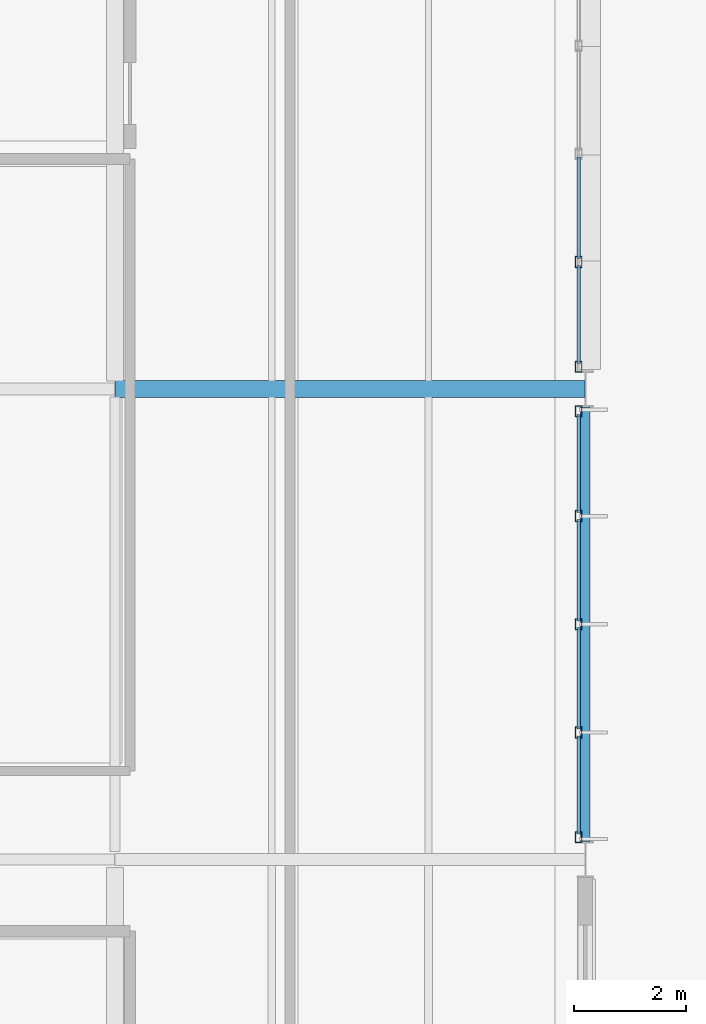
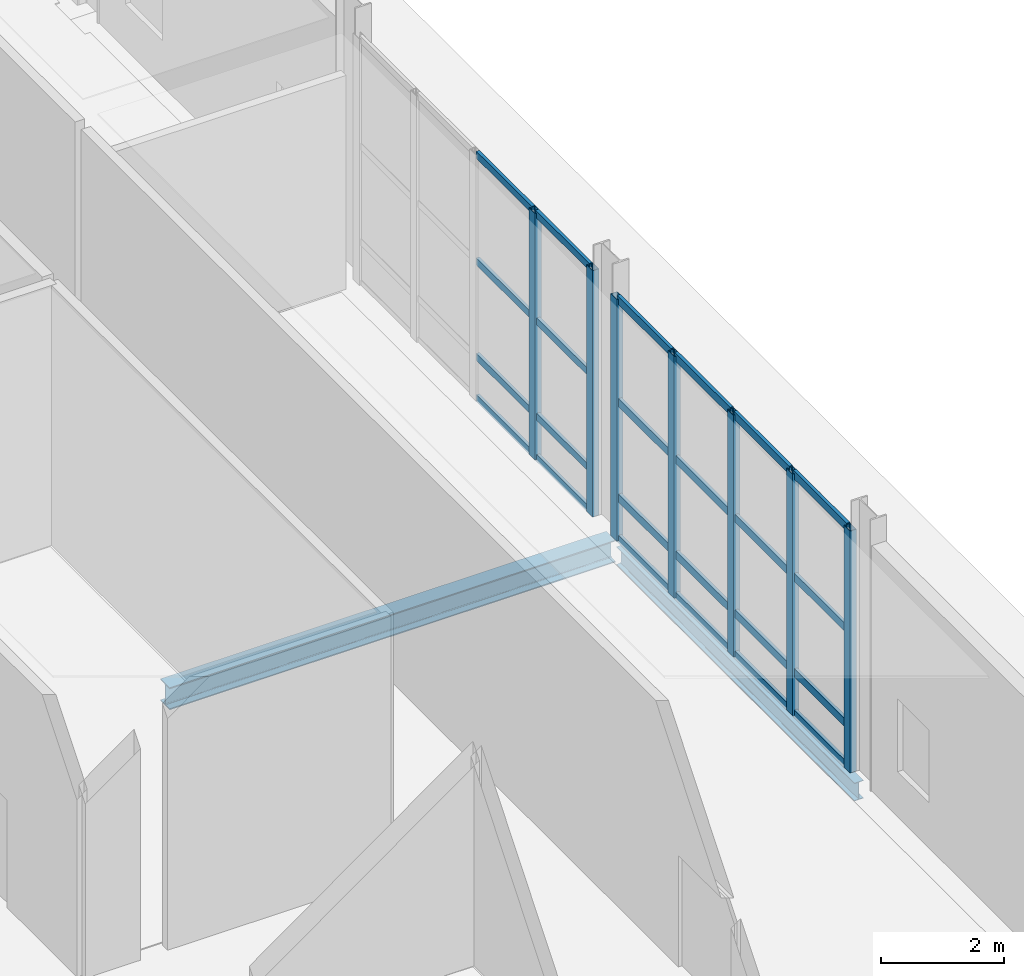
# One storey, part 38 of 124: 31 members, 2 beams, 2 elements without a shape of their own.
"""IFC4 building model written with IfcOpenShell, lengths in metres."""

from ifc_helpers import new_model, si_unit, direction, frame, origin, origin_2d, place, context, subcontext, project, spatial, hollow_rectangle, i_section, extrude, material, material_profile, profile_set, type_object, element, aggregate, save


model = new_model("IFC4")

# Units and contexts
model_context = context("Model", 3, precision=1e-05, world=origin(), true_north=direction((0.0, 1.0)))
body_context = subcontext(model_context, "Body", "Model", "MODEL_VIEW")
ifc_project = project(units=[si_unit("LENGTHUNIT", "METRE"), si_unit("AREAUNIT", "SQUARE_METRE"), si_unit("VOLUMEUNIT", "CUBIC_METRE"), si_unit("PLANEANGLEUNIT", "RADIAN"), si_unit("MASSUNIT", "GRAM", prefix="KILO")], contexts=[model_context])

# Site, building, storey
site_placement = place(None, origin())
site = spatial("IfcSite", under=ifc_project, at=site_placement, CompositionType="ELEMENT")
building_placement = place(site_placement, origin())
building = spatial("IfcBuilding", under=site, at=building_placement, Name="Mersafa Astral City Hall", CompositionType="ELEMENT")
storey_placement = place(building_placement, origin())
storey = spatial("IfcBuildingStorey", under=building, at=storey_placement, Name="L00", CompositionType="ELEMENT", Elevation=0.0)

# Curtain wall, members
ifc_material_1 = material(Name="Anodised bronze aluminium framing", Category="aluminium")
curtain_wall_type_1 = type_object("IfcCurtainWallType", Name="ENV-CW-5", PredefinedType="USERDEFINED", material=ifc_material_1)
curtain_wall_1_placement = place(storey_placement, origin())
curtain_wall_1 = element("IfcCurtainWall", 1, at=curtain_wall_1_placement, inside=storey, type_object=curtain_wall_type_1, Name="L00 Unitised solar curtain wall 10", ObjectType="UNITISED CURTAIN WALL", PredefinedType="USERDEFINED")
ifc_material_profile_1 = material_profile(ifc_material_1, hollow_rectangle(XDim=0.1201171875, YDim=0.199951171875, WallThickness=0.008056640625, at=origin_2d()), Name="RHS 120x200x8")
ifc_profile_set_1 = profile_set([ifc_material_profile_1], Name="Anodised bronze aluminium framing")
member_type_1 = type_object("IfcMemberType", Name="ENV-CW-MUL-2", PredefinedType="MULLION", material=ifc_profile_set_1)
member_1_placement = place(storey_placement, frame((117.47998046875, 67.596923828125, -0.001953125), z_axis=(0.0, 0.0, 1.0), x_axis=(-1.0, 0.0, 0.0)))
member_1 = element("IfcMember", 2, at=member_1_placement, type_object=member_type_1, Name="CW-5 mullion 1", PredefinedType="MULLION", context=body_context, shape_type="SweptSolid", body=[
    extrude(hollow_rectangle(XDim=0.1201171875, YDim=0.199951171875, WallThickness=0.008056640625, at=origin_2d()), origin(), (0.0, 0.0, 1.0), 4.81396484375),
])
member_2_placement = place(storey_placement, frame((117.47998046875, 69.468505859375, -0.001953125), z_axis=(0.0, 0.0, 1.0), x_axis=(-1.0, 0.0, 0.0)))
member_2 = element("IfcMember", 3, at=member_2_placement, type_object=member_type_1, Name="CW-5 mullion 2", PredefinedType="MULLION", context=body_context, shape_type="SweptSolid", body=[
    extrude(hollow_rectangle(XDim=0.1201171875, YDim=0.199951171875, WallThickness=0.008056640625, at=origin_2d()), origin(), (0.0, 0.0, 1.0), 4.81396484375),
])
member_3_placement = place(storey_placement, frame((117.47998046875, 71.39990234375, -0.001953125), z_axis=(0.0, 0.0, 1.0), x_axis=(-1.0, 0.0, 0.0)))
member_3 = element("IfcMember", 4, at=member_3_placement, type_object=member_type_1, Name="CW-5 mullion 3", PredefinedType="MULLION", context=body_context, shape_type="SweptSolid", body=[
    extrude(hollow_rectangle(XDim=0.1201171875, YDim=0.199951171875, WallThickness=0.008056640625, at=origin_2d()), origin(), (0.0, 0.0, 1.0), 4.81396484375),
])
member_4_placement = place(storey_placement, frame((117.47998046875, 73.33154296875, -0.001953125), z_axis=(0.0, 0.0, 1.0), x_axis=(-1.0, 0.0, 0.0)))
member_4 = element("IfcMember", 5, at=member_4_placement, type_object=member_type_1, Name="CW-5 mullion 4", PredefinedType="MULLION", context=body_context, shape_type="SweptSolid", body=[
    extrude(hollow_rectangle(XDim=0.1201171875, YDim=0.199951171875, WallThickness=0.008056640625, at=origin_2d()), origin(), (0.0, 0.0, 1.0), 4.81396484375),
])
member_5_placement = place(storey_placement, frame((117.47998046875, 75.202880859375, -0.001953125), z_axis=(0.0, 0.0, 1.0), x_axis=(-1.0, 0.0, 0.0)))
member_5 = element("IfcMember", 6, at=member_5_placement, type_object=member_type_1, Name="CW-5 mullion 5", PredefinedType="MULLION", context=body_context, shape_type="SweptSolid", body=[
    extrude(hollow_rectangle(XDim=0.1201171875, YDim=0.199951171875, WallThickness=0.008056640625, at=origin_2d()), origin(), (0.0, 0.0, 1.0), 4.81396484375),
])

curtain_wall_type_2 = type_object("IfcCurtainWallType", Name="ENV-CW-6", PredefinedType="USERDEFINED", material=ifc_material_1)
curtain_wall_2_placement = place(storey_placement, origin())
curtain_wall_2 = element("IfcCurtainWall", 7, at=curtain_wall_2_placement, inside=storey, type_object=curtain_wall_type_2, Name="L00 Unitised solar curtain wall 11", ObjectType="UNITISED CURTAIN WALL", PredefinedType="USERDEFINED")
member_6_placement = place(storey_placement, frame((117.47998046875, 75.9970703125, -0.001953125), z_axis=(0.0, 0.0, 1.0), x_axis=(-1.0, 0.0, 0.0)))
member_6 = element("IfcMember", 8, at=member_6_placement, type_object=member_type_1, Name="CW-6 mullion 1", PredefinedType="MULLION", context=body_context, shape_type="SweptSolid", body=[
    extrude(hollow_rectangle(XDim=0.1201171875, YDim=0.199951171875, WallThickness=0.008056640625, at=origin_2d()), origin(), (0.0, 0.0, 1.0), 4.904052734375),
])
member_7_placement = place(storey_placement, frame((117.47998046875, 77.868408203125, -0.001953125), z_axis=(0.0, 0.0, 1.0), x_axis=(-1.0, 0.0, 0.0)))
member_7 = element("IfcMember", 9, at=member_7_placement, type_object=member_type_1, Name="CW-6 mullion 2", PredefinedType="MULLION", context=body_context, shape_type="SweptSolid", body=[
    extrude(hollow_rectangle(XDim=0.1201171875, YDim=0.199951171875, WallThickness=0.008056640625, at=origin_2d()), origin(), (0.0, 0.0, 1.0), 4.904052734375),
])
ifc_material_profile_2 = material_profile(ifc_material_1, hollow_rectangle(XDim=0.06005859375, YDim=0.139892578125, WallThickness=0.00390625, at=origin_2d()), Name="RHS 60x140x4")
ifc_profile_set_2 = profile_set([ifc_material_profile_2], Name="Anodised bronze aluminium framing")
member_type_2 = type_object("IfcMemberType", Name="ENV-CW-TRN-1", PredefinedType="USERDEFINED", material=ifc_profile_set_2)
member_8_placement = place(storey_placement, frame((117.47998046875, 76.056884765625, 0.028076171875), z_axis=(0.0, 1.0, 0.0), x_axis=(-1.0, 0.0, 0.0)))
member_8 = element("IfcMember", 10, at=member_8_placement, type_object=member_type_2, Name="CW-6 transom 1.1", ObjectType="TRANSOM", PredefinedType="USERDEFINED", context=body_context, shape_type="SweptSolid", body=[
    extrude(hollow_rectangle(XDim=0.06005859375, YDim=0.139892578125, WallThickness=0.00390625, at=origin_2d()), origin(), (0.0, 0.0, 1.0), 1.751708984375),
])
member_9_placement = place(storey_placement, frame((117.47998046875, 76.056884765625, 0.85009765625), z_axis=(0.0, 1.0, 0.0), x_axis=(-1.0, 0.0, 0.0)))
member_9 = element("IfcMember", 11, at=member_9_placement, type_object=member_type_2, Name="CW-6 transom 1.2", ObjectType="TRANSOM", PredefinedType="USERDEFINED", context=body_context, shape_type="SweptSolid", body=[
    extrude(hollow_rectangle(XDim=0.06005859375, YDim=0.139892578125, WallThickness=0.00390625, at=origin_2d()), origin(), (0.0, 0.0, 1.0), 1.751708984375),
])
member_10_placement = place(storey_placement, frame((117.47998046875, 76.056884765625, 2.75), z_axis=(0.0, 1.0, 0.0), x_axis=(-1.0, 0.0, 0.0)))
member_10 = element("IfcMember", 12, at=member_10_placement, type_object=member_type_2, Name="CW-6 transom 1.3", ObjectType="TRANSOM", PredefinedType="USERDEFINED", context=body_context, shape_type="SweptSolid", body=[
    extrude(hollow_rectangle(XDim=0.06005859375, YDim=0.139892578125, WallThickness=0.00390625, at=origin_2d()), origin(), (0.0, 0.0, 1.0), 1.751708984375),
])
member_11_placement = place(storey_placement, frame((117.47998046875, 76.056884765625, 4.8720703125), z_axis=(0.0, 1.0, 0.0), x_axis=(-1.0, 0.0, 0.0)))
member_11 = element("IfcMember", 13, at=member_11_placement, type_object=member_type_2, Name="CW-6 transom 1.4", ObjectType="TRANSOM", PredefinedType="USERDEFINED", context=body_context, shape_type="SweptSolid", body=[
    extrude(hollow_rectangle(XDim=0.06005859375, YDim=0.139892578125, WallThickness=0.00390625, at=origin_2d()), origin(), (0.0, 0.0, 1.0), 1.751708984375),
])
member_12_placement = place(storey_placement, frame((117.47998046875, 77.928466796875, 0.028076171875), z_axis=(0.0, 1.0, 0.0), x_axis=(-1.0, 0.0, 0.0)))
member_12 = element("IfcMember", 14, at=member_12_placement, type_object=member_type_2, Name="CW-6 transom 2.1", ObjectType="TRANSOM", PredefinedType="USERDEFINED", context=body_context, shape_type="SweptSolid", body=[
    extrude(hollow_rectangle(XDim=0.06005859375, YDim=0.139892578125, WallThickness=0.00390625, at=origin_2d()), origin(), (0.0, 0.0, 1.0), 1.8115234375),
])
member_13_placement = place(storey_placement, frame((117.47998046875, 77.928466796875, 0.85009765625), z_axis=(0.0, 1.0, 0.0), x_axis=(-1.0, 0.0, 0.0)))
member_13 = element("IfcMember", 15, at=member_13_placement, type_object=member_type_2, Name="CW-6 transom 2.2", ObjectType="TRANSOM", PredefinedType="USERDEFINED", context=body_context, shape_type="SweptSolid", body=[
    extrude(hollow_rectangle(XDim=0.06005859375, YDim=0.139892578125, WallThickness=0.00390625, at=origin_2d()), origin(), (0.0, 0.0, 1.0), 1.8115234375),
])
member_14_placement = place(storey_placement, frame((117.47998046875, 77.928466796875, 2.75), z_axis=(0.0, 1.0, 0.0), x_axis=(-1.0, 0.0, 0.0)))
member_14 = element("IfcMember", 16, at=member_14_placement, type_object=member_type_2, Name="CW-6 transom 2.3", ObjectType="TRANSOM", PredefinedType="USERDEFINED", context=body_context, shape_type="SweptSolid", body=[
    extrude(hollow_rectangle(XDim=0.06005859375, YDim=0.139892578125, WallThickness=0.00390625, at=origin_2d()), origin(), (0.0, 0.0, 1.0), 1.8115234375),
])
member_15_placement = place(storey_placement, frame((117.47998046875, 77.928466796875, 4.8720703125), z_axis=(0.0, 1.0, 0.0), x_axis=(-1.0, 0.0, 0.0)))
member_15 = element("IfcMember", 17, at=member_15_placement, type_object=member_type_2, Name="CW-6 transom 2.4", ObjectType="TRANSOM", PredefinedType="USERDEFINED", context=body_context, shape_type="SweptSolid", body=[
    extrude(hollow_rectangle(XDim=0.06005859375, YDim=0.139892578125, WallThickness=0.00390625, at=origin_2d()), origin(), (0.0, 0.0, 1.0), 1.8115234375),
])
aggregate(curtain_wall_2, [member_6, member_7, member_8, member_9, member_10, member_11, member_12, member_13, member_14, member_15])

# Member
ifc_material_profile_3 = material_profile(ifc_material_1, hollow_rectangle(XDim=0.06005859375, YDim=0.159912109375, WallThickness=0.00390625, at=origin_2d()), Name="RHS 60x160x4")
ifc_profile_set_3 = profile_set([ifc_material_profile_3], Name="Anodised bronze aluminium framing")
member_type_3 = type_object("IfcMemberType", Name="ENV-CW-TRN-2", PredefinedType="USERDEFINED", material=ifc_profile_set_3)
member_16_placement = place(storey_placement, frame((117.47998046875, 67.656982421875, 0.028076171875), z_axis=(0.0, 1.0, 0.0), x_axis=(-1.0, 0.0, 0.0)))
member_16 = element("IfcMember", 18, at=member_16_placement, type_object=member_type_3, Name="CW-5 transom 1.1", ObjectType="TRANSOM", PredefinedType="USERDEFINED", context=body_context, shape_type="SweptSolid", body=[
    extrude(hollow_rectangle(XDim=0.06005859375, YDim=0.159912109375, WallThickness=0.00390625, at=origin_2d()), origin(), (0.0, 0.0, 1.0), 1.75146484375),
])

member_17_placement = place(storey_placement, frame((117.47998046875, 67.656982421875, 0.85009765625), z_axis=(0.0, 1.0, 0.0), x_axis=(-1.0, 0.0, 0.0)))
member_17 = element("IfcMember", 19, at=member_17_placement, type_object=member_type_3, Name="CW-5 transom 1.2", ObjectType="TRANSOM", PredefinedType="USERDEFINED", context=body_context, shape_type="SweptSolid", body=[
    extrude(hollow_rectangle(XDim=0.06005859375, YDim=0.159912109375, WallThickness=0.00390625, at=origin_2d()), origin(), (0.0, 0.0, 1.0), 1.75146484375),
])

member_18_placement = place(storey_placement, frame((117.47998046875, 67.656982421875, 2.75), z_axis=(0.0, 1.0, 0.0), x_axis=(-1.0, 0.0, 0.0)))
member_18 = element("IfcMember", 20, at=member_18_placement, type_object=member_type_3, Name="CW-5 transom 1.3", ObjectType="TRANSOM", PredefinedType="USERDEFINED", context=body_context, shape_type="SweptSolid", body=[
    extrude(hollow_rectangle(XDim=0.06005859375, YDim=0.159912109375, WallThickness=0.00390625, at=origin_2d()), origin(), (0.0, 0.0, 1.0), 1.75146484375),
])

member_19_placement = place(storey_placement, frame((117.47998046875, 67.656982421875, 4.781982421875), z_axis=(0.0, 1.0, 0.0), x_axis=(-1.0, 0.0, 0.0)))
member_19 = element("IfcMember", 21, at=member_19_placement, type_object=member_type_3, Name="CW-5 transom 1.4", ObjectType="TRANSOM", PredefinedType="USERDEFINED", context=body_context, shape_type="SweptSolid", body=[
    extrude(hollow_rectangle(XDim=0.06005859375, YDim=0.159912109375, WallThickness=0.00390625, at=origin_2d()), origin(), (0.0, 0.0, 1.0), 1.75146484375),
])

member_20_placement = place(storey_placement, frame((117.47998046875, 69.528564453125, 0.028076171875), z_axis=(0.0, 1.0, 0.0), x_axis=(-1.0, 0.0, 0.0)))
member_20 = element("IfcMember", 22, at=member_20_placement, type_object=member_type_3, Name="CW-5 transom 2.1", ObjectType="TRANSOM", PredefinedType="USERDEFINED", context=body_context, shape_type="SweptSolid", body=[
    extrude(hollow_rectangle(XDim=0.06005859375, YDim=0.159912109375, WallThickness=0.00390625, at=origin_2d()), origin(), (0.0, 0.0, 1.0), 1.8115234375),
])

member_21_placement = place(storey_placement, frame((117.47998046875, 69.528564453125, 0.85009765625), z_axis=(0.0, 1.0, 0.0), x_axis=(-1.0, 0.0, 0.0)))
member_21 = element("IfcMember", 23, at=member_21_placement, type_object=member_type_3, Name="CW-5 transom 2.2", ObjectType="TRANSOM", PredefinedType="USERDEFINED", context=body_context, shape_type="SweptSolid", body=[
    extrude(hollow_rectangle(XDim=0.06005859375, YDim=0.159912109375, WallThickness=0.00390625, at=origin_2d()), origin(), (0.0, 0.0, 1.0), 1.8115234375),
])

member_22_placement = place(storey_placement, frame((117.47998046875, 69.528564453125, 2.75), z_axis=(0.0, 1.0, 0.0), x_axis=(-1.0, 0.0, 0.0)))
member_22 = element("IfcMember", 24, at=member_22_placement, type_object=member_type_3, Name="CW-5 transom 2.3", ObjectType="TRANSOM", PredefinedType="USERDEFINED", context=body_context, shape_type="SweptSolid", body=[
    extrude(hollow_rectangle(XDim=0.06005859375, YDim=0.159912109375, WallThickness=0.00390625, at=origin_2d()), origin(), (0.0, 0.0, 1.0), 1.8115234375),
])

member_23_placement = place(storey_placement, frame((117.47998046875, 69.528564453125, 4.781982421875), z_axis=(0.0, 1.0, 0.0), x_axis=(-1.0, 0.0, 0.0)))
member_23 = element("IfcMember", 25, at=member_23_placement, type_object=member_type_3, Name="CW-5 transom 2.4", ObjectType="TRANSOM", PredefinedType="USERDEFINED", context=body_context, shape_type="SweptSolid", body=[
    extrude(hollow_rectangle(XDim=0.06005859375, YDim=0.159912109375, WallThickness=0.00390625, at=origin_2d()), origin(), (0.0, 0.0, 1.0), 1.8115234375),
])

member_24_placement = place(storey_placement, frame((117.47998046875, 71.4599609375, 0.028076171875), z_axis=(0.0, 1.0, 0.0), x_axis=(-1.0, 0.0, 0.0)))
member_24 = element("IfcMember", 26, at=member_24_placement, type_object=member_type_3, Name="CW-5 transom 3.1", ObjectType="TRANSOM", PredefinedType="USERDEFINED", context=body_context, shape_type="SweptSolid", body=[
    extrude(hollow_rectangle(XDim=0.06005859375, YDim=0.159912109375, WallThickness=0.00390625, at=origin_2d()), origin(), (0.0, 0.0, 1.0), 1.8115234375),
])

member_25_placement = place(storey_placement, frame((117.47998046875, 71.4599609375, 0.85009765625), z_axis=(0.0, 1.0, 0.0), x_axis=(-1.0, 0.0, 0.0)))
member_25 = element("IfcMember", 27, at=member_25_placement, type_object=member_type_3, Name="CW-5 transom 3.2", ObjectType="TRANSOM", PredefinedType="USERDEFINED", context=body_context, shape_type="SweptSolid", body=[
    extrude(hollow_rectangle(XDim=0.06005859375, YDim=0.159912109375, WallThickness=0.00390625, at=origin_2d()), origin(), (0.0, 0.0, 1.0), 1.8115234375),
])

member_26_placement = place(storey_placement, frame((117.47998046875, 71.4599609375, 2.75), z_axis=(0.0, 1.0, 0.0), x_axis=(-1.0, 0.0, 0.0)))
member_26 = element("IfcMember", 28, at=member_26_placement, type_object=member_type_3, Name="CW-5 transom 3.3", ObjectType="TRANSOM", PredefinedType="USERDEFINED", context=body_context, shape_type="SweptSolid", body=[
    extrude(hollow_rectangle(XDim=0.06005859375, YDim=0.159912109375, WallThickness=0.00390625, at=origin_2d()), origin(), (0.0, 0.0, 1.0), 1.8115234375),
])

member_27_placement = place(storey_placement, frame((117.47998046875, 71.4599609375, 4.781982421875), z_axis=(0.0, 1.0, 0.0), x_axis=(-1.0, 0.0, 0.0)))
member_27 = element("IfcMember", 29, at=member_27_placement, type_object=member_type_3, Name="CW-5 transom 3.4", ObjectType="TRANSOM", PredefinedType="USERDEFINED", context=body_context, shape_type="SweptSolid", body=[
    extrude(hollow_rectangle(XDim=0.06005859375, YDim=0.159912109375, WallThickness=0.00390625, at=origin_2d()), origin(), (0.0, 0.0, 1.0), 1.8115234375),
])

member_28_placement = place(storey_placement, frame((117.47998046875, 73.3916015625, 0.028076171875), z_axis=(0.0, 1.0, 0.0), x_axis=(-1.0, 0.0, 0.0)))
member_28 = element("IfcMember", 30, at=member_28_placement, type_object=member_type_3, Name="CW-5 transom 4.1", ObjectType="TRANSOM", PredefinedType="USERDEFINED", context=body_context, shape_type="SweptSolid", body=[
    extrude(hollow_rectangle(XDim=0.06005859375, YDim=0.159912109375, WallThickness=0.00390625, at=origin_2d()), origin(), (0.0, 0.0, 1.0), 1.75146484375),
])

member_29_placement = place(storey_placement, frame((117.47998046875, 73.3916015625, 0.85009765625), z_axis=(0.0, 1.0, 0.0), x_axis=(-1.0, 0.0, 0.0)))
member_29 = element("IfcMember", 31, at=member_29_placement, type_object=member_type_3, Name="CW-5 transom 4.2", ObjectType="TRANSOM", PredefinedType="USERDEFINED", context=body_context, shape_type="SweptSolid", body=[
    extrude(hollow_rectangle(XDim=0.06005859375, YDim=0.159912109375, WallThickness=0.00390625, at=origin_2d()), origin(), (0.0, 0.0, 1.0), 1.75146484375),
])

member_30_placement = place(storey_placement, frame((117.47998046875, 73.3916015625, 2.75), z_axis=(0.0, 1.0, 0.0), x_axis=(-1.0, 0.0, 0.0)))
member_30 = element("IfcMember", 32, at=member_30_placement, type_object=member_type_3, Name="CW-5 transom 4.3", ObjectType="TRANSOM", PredefinedType="USERDEFINED", context=body_context, shape_type="SweptSolid", body=[
    extrude(hollow_rectangle(XDim=0.06005859375, YDim=0.159912109375, WallThickness=0.00390625, at=origin_2d()), origin(), (0.0, 0.0, 1.0), 1.75146484375),
])

member_31_placement = place(storey_placement, frame((117.47998046875, 73.3916015625, 4.781982421875), z_axis=(0.0, 1.0, 0.0), x_axis=(-1.0, 0.0, 0.0)))
member_31 = element("IfcMember", 33, at=member_31_placement, type_object=member_type_3, Name="CW-5 transom 4.4", ObjectType="TRANSOM", PredefinedType="USERDEFINED", context=body_context, shape_type="SweptSolid", body=[
    extrude(hollow_rectangle(XDim=0.06005859375, YDim=0.159912109375, WallThickness=0.00390625, at=origin_2d()), origin(), (0.0, 0.0, 1.0), 1.75146484375),
])

aggregate(curtain_wall_1, [member_1, member_2, member_3, member_4, member_5, member_16, member_17, member_18, member_19, member_20, member_21, member_22, member_23, member_24, member_25, member_26, member_27, member_28, member_29, member_30, member_31])

# Beams
ifc_material_2 = material(Name="Steel S355", Category="steel")
ifc_material_profile_4 = material_profile(ifc_material_2, i_section(OverallWidth=0.300048828125, OverallDepth=0.43994140625, WebThickness=0.011474609375, FlangeThickness=0.02099609375, FilletRadius=0.027099609375, at=origin_2d()), Name="HEA 450")
ifc_profile_set_4 = profile_set([ifc_material_profile_4], Name="Steel S355")
beam_type_1 = type_object("IfcBeamType", Name="STR-BM-HEA450", PredefinedType="BEAM", material=ifc_profile_set_4)
beam_1_placement = place(storey_placement, frame((109.202880859375, 75.60009765625, -0.469970703125), z_axis=(1.0, 0.0, 0.0), x_axis=(0.0, 1.0, 0.0)))
element("IfcBeam", 34, at=beam_1_placement, inside=storey, type_object=beam_type_1, Name="L00 Primary girder X 13-9", PredefinedType="BEAM", context=body_context, shape_type="SweptSolid", body=[
    extrude(i_section(OverallWidth=0.300048828125, OverallDepth=0.43994140625, WebThickness=0.011474609375, FlangeThickness=0.02099609375, FilletRadius=0.027099609375, at=origin_2d()), origin(), (0.0, 0.0, 1.0), 8.39404296875),
])
ifc_material_profile_5 = material_profile(ifc_material_2, i_section(OverallWidth=0.169921875, OverallDepth=0.360107421875, WebThickness=0.008056640625, FlangeThickness=0.0126953125, FilletRadius=0.01806640625, at=origin_2d()), Name="IPE 360")
ifc_profile_set_5 = profile_set([ifc_material_profile_5], Name="Steel S355")
beam_type_2 = type_object("IfcBeamType", Name="STR-BM-SPANDREL-IPE360", PredefinedType="SPANDREL", material=ifc_profile_set_5)
beam_2_placement = place(storey_placement, frame((117.60009765625, 67.52001953125, -0.429931640625), z_axis=(0.0, 1.0, 0.0), x_axis=(-1.0, 0.0, 0.0)))
element("IfcBeam", 35, at=beam_2_placement, inside=storey, type_object=beam_type_2, Name="L00 Primary girder Y 14-8", PredefinedType="SPANDREL", context=body_context, shape_type="SweptSolid", body=[
    extrude(i_section(OverallWidth=0.169921875, OverallDepth=0.360107421875, WebThickness=0.008056640625, FlangeThickness=0.0126953125, FilletRadius=0.01806640625, at=origin_2d()), origin(), (0.0, 0.0, 1.0), 7.760009765625),
])

save(model, "model.ifc")
